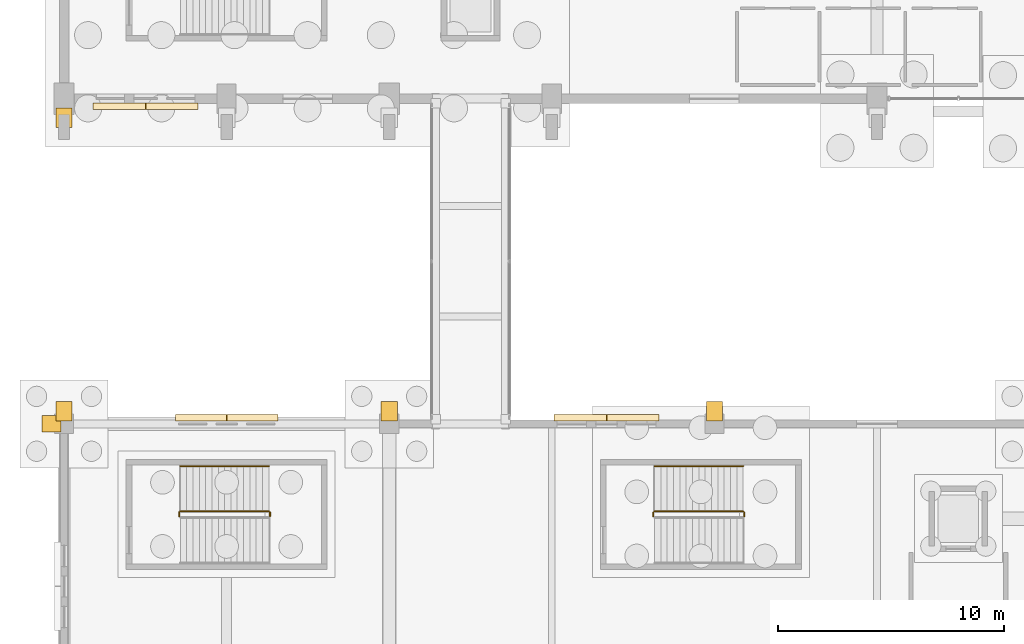
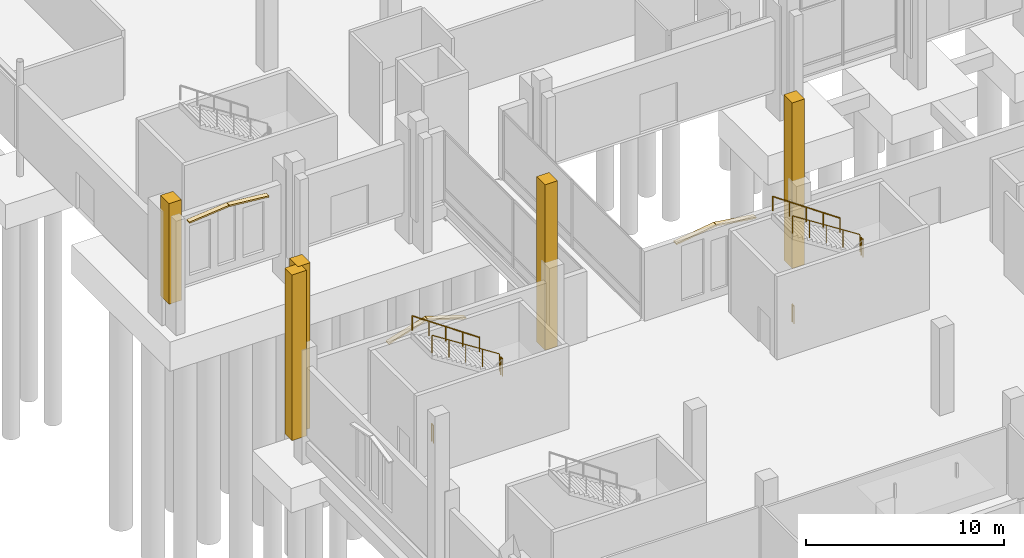
# One storey, part 173 of 192: 11 coverings, 8 railings.
"""IFC4 building model written with IfcOpenShell, lengths in metres."""

from ifc_helpers import new_model, si_unit, direction, frame, origin, origin_2d, place, context, subcontext, project, spatial, polyline, circle, outline, extrude, material, layer, layer_set, type_object, element, save


model = new_model("IFC4")

# Units and contexts
model_context = context("Model", 3, precision=1e-05, world=origin(), true_north=direction((0.0, 1.0)))
body_context = subcontext(model_context, "Body", "Model", "MODEL_VIEW")
ifc_project = project(units=[si_unit("LENGTHUNIT", "METRE"), si_unit("AREAUNIT", "SQUARE_METRE"), si_unit("VOLUMEUNIT", "CUBIC_METRE"), si_unit("PLANEANGLEUNIT", "RADIAN"), si_unit("MASSUNIT", "GRAM", prefix="KILO")], contexts=[model_context])

# Site, building, storey
site_placement = place(None, origin())
site = spatial("IfcSite", under=ifc_project, at=site_placement, CompositionType="ELEMENT")
building_placement = place(site_placement, origin())
building = spatial("IfcBuilding", under=site, at=building_placement, Name="Cendralis Lancet Convention Centre", CompositionType="ELEMENT")
storey_placement = place(building_placement, origin())
storey = spatial("IfcBuildingStorey", under=building, at=storey_placement, Name="L00", CompositionType="ELEMENT", Elevation=0.0)

# Coverings
ifc_material_1 = material(Name="Warm buff sandstone chevron cassette", Category="masonry")
ifc_layer = layer(ifc_material_1, 0.06005859375, Name="Warm buff sandstone chevron cassette")
ifc_layer_set = layer_set([ifc_layer], Name="Warm buff sandstone chevron cassette")
covering_type = type_object("IfcCoveringType", Name="ARC-CV-CLAD1", PredefinedType="CLADDING", material=ifc_layer_set)
for number, where, z_axis, x_axis, name in (
    (1, (5.9326171875, 49.929931640625, 4.0), (0.096983060843, 0.0, 0.995286032209), (0.0, 1.0, 0.0), "L00 Gothic Pointed Lancet Hood-Mould #0013L"),
    (2, (3.6025390625, 49.929931640625, 4.22509765625), (-0.096983060843, 0.0, 0.995286032209), (0.0, 1.0, 0.0), "L00 Gothic Pointed Lancet Hood-Mould #0014R"),
):
    element("IfcCovering", number, at=place(storey_placement, frame(where, z_axis=z_axis, x_axis=x_axis)), inside=storey, type_object=covering_type, Name=name, PredefinedType="CLADDING", context=body_context, shape_type="SweptSolid", body=[
        extrude(outline(polyline([(0.0, 0.0), (0.28515625, 0.0), (0.28515625, 2.3209997116345082), (0.0, 2.3209997116345082), (0.0, 0.0)])), origin(), (0.0, 0.0, -1.0), 0.090087890625),
    ])
covering_1_placement = place(storey_placement, origin())
element("IfcCovering", 3, at=covering_1_placement, inside=storey, type_object=covering_type, Name="Gothic Stepped Stone Buttress Base #0001", PredefinedType="CLADDING", context=body_context, shape_type="SweptSolid", body=[
    extrude(outline(polyline([(-0.360107421875, 49.1298828125), (0.360107421875, 49.1298828125), (0.360107421875, 49.97998046875), (-0.360107421875, 49.97998046875), (-0.360107421875, 49.1298828125)])), origin(), (0.0, 0.0, 1.0), 6.199951171875),
])
for number, where, z_axis, x_axis, name in (
    (4, (4.929931640625, 36.419921875, 3.6201171875), (-0.297728846121, 0.0, 0.954650477498), (0.0, -1.0, 0.0), "L00 Gothic Pointed Lancet Hood-Mould #0223L"),
    (5, (7.2099609375, 36.419921875, 4.324951171875), (0.297728846121, 0.0, 0.954650477498), (0.0, -1.0, 0.0), "L00 Gothic Pointed Lancet Hood-Mould #0224R"),
):
    element("IfcCovering", number, at=place(storey_placement, frame(where, z_axis=z_axis, x_axis=x_axis)), inside=storey, type_object=covering_type, Name=name, PredefinedType="CLADDING", context=body_context, shape_type="SweptSolid", body=[
        extrude(outline(polyline([(0.0, 0.0), (0.284912109375, 0.0), (0.284912109375, 2.3673688107792383), (0.0, 2.3673688107792383), (0.0, 0.0)])), origin(), (0.0, 0.0, -1.0), 0.090087890625),
    ])
covering_2_placement = place(storey_placement, frame((21.693603515625, 36.419921875, 3.89990234375), z_axis=(-0.143010644033, 0.0, 0.989721150473), x_axis=(0.0, -1.0, 0.0)))
element("IfcCovering", 6, at=covering_2_placement, inside=storey, type_object=covering_type, Name="L00 Gothic Pointed Lancet Hood-Mould #0225L", PredefinedType="CLADDING", context=body_context, shape_type="SweptSolid", body=[
    extrude(outline(polyline([(0.0, 0.0), (0.284912109375, 0.0), (0.284912109375, 2.3439169887817775), (0.0, 2.3439169887817775), (0.0, 0.0)])), origin(), (0.0, 0.0, -1.0), 0.090087890625),
])
covering_3_placement = place(storey_placement, frame((24.033447265625, 36.419921875, 4.235107421875), z_axis=(0.142995902768, 0.0, 0.989723280413), x_axis=(0.0, -1.0, 0.0)))
element("IfcCovering", 7, at=covering_3_placement, inside=storey, type_object=covering_type, Name="L00 Gothic Pointed Lancet Hood-Mould #0226R", PredefinedType="CLADDING", context=body_context, shape_type="SweptSolid", body=[
    extrude(outline(polyline([(0.0, 0.0), (0.284912109375, 0.0), (0.284912109375, 2.3441586201820455), (0.0, 2.3441586201820455), (0.0, 0.0)])), origin(), (0.0, 0.0, -1.0), 0.090087890625),
])
covering_4_placement = place(storey_placement, origin())
element("IfcCovering", 8, at=covering_4_placement, inside=storey, type_object=covering_type, Name="Gothic Stepped Stone Buttress Base #0067", PredefinedType="CLADDING", context=body_context, shape_type="SweptSolid", body=[
    extrude(outline(polyline([(0.360107421875, 36.97998046875), (-0.360107421875, 36.97998046875), (-0.360107421875, 36.1298828125), (0.360107421875, 36.1298828125), (0.360107421875, 36.97998046875)])), origin(), (0.0, 0.0, 1.0), 10.199951171875),
])
covering_5_placement = place(storey_placement, origin())
element("IfcCovering", 9, at=covering_5_placement, inside=storey, type_object=covering_type, Name="Gothic Stepped Stone Buttress Base #0068", PredefinedType="CLADDING", context=body_context, shape_type="SweptSolid", body=[
    extrude(outline(polyline([(14.760009765625, 36.97998046875), (14.0400390625, 36.97998046875), (14.0400390625, 36.1298828125), (14.760009765625, 36.1298828125), (14.760009765625, 36.97998046875)])), origin(), (0.0, 0.0, 1.0), 10.199951171875),
])
covering_6_placement = place(storey_placement, origin())
element("IfcCovering", 10, at=covering_6_placement, inside=storey, type_object=covering_type, Name="Gothic Stepped Stone Buttress Base #0069", PredefinedType="CLADDING", context=body_context, shape_type="SweptSolid", body=[
    extrude(outline(polyline([(29.159912109375, 36.97998046875), (28.43994140625, 36.97998046875), (28.43994140625, 36.1298828125), (29.159912109375, 36.1298828125), (29.159912109375, 36.97998046875)])), origin(), (0.0, 0.0, 1.0), 10.199951171875),
])
covering_7_placement = place(storey_placement, origin())
element("IfcCovering", 11, at=covering_7_placement, inside=storey, type_object=covering_type, Name="Gothic Stepped Stone Buttress Base #0079", PredefinedType="CLADDING", context=body_context, shape_type="SweptSolid", body=[
    extrude(outline(polyline([(-0.97998046875, 36.360107421875), (-0.97998046875, 35.639892578125), (-0.1298828125, 35.639892578125), (-0.1298828125, 36.360107421875), (-0.97998046875, 36.360107421875)])), origin(), (0.0, 0.0, 1.0), 10.199951171875),
])

# Railings
ifc_material_2 = material(Name="Steel S355", Category="steel")
railing_type_1 = type_object("IfcRailingType", Name="ARC-RL-CGD", PredefinedType="GUARDRAIL", material=ifc_material_2)
railing_1_placement = place(storey_placement, frame((30.1201171875, 31.89990234375, 2.699951171875)))
element("IfcRailing", 12, at=railing_1_placement, inside=storey, type_object=railing_type_1, Name="L00 ST-11 stair guard 2", PredefinedType="GUARDRAIL", context=body_context, shape_type="SweptSolid", body=[
    extrude(circle(Radius=0.02392578125, at=origin_2d()), frame((0.0, 0.0, 1.076171875), z_axis=(0.0, 1.0, 0.0), x_axis=(-1.0, 0.0, 0.0)), (0.0, 0.0, 1.0), 0.18017578125),
    extrude(circle(Radius=0.02099609375, at=origin_2d()), origin(), (0.0, 0.0, 1.0), 1.052001953125),
    extrude(circle(Radius=0.02099609375, at=origin_2d()), frame((0.0, 0.18017578125, 0.0)), (0.0, 0.0, 1.0), 1.052001953125),
])
railing_2_placement = place(storey_placement, frame((30.070068359375, 32.1298828125, 2.8798828125)))
element("IfcRailing", 13, at=railing_2_placement, inside=storey, type_object=railing_type_1, Name="L00 ST-11 stair guard 3", PredefinedType="GUARDRAIL", context=body_context, shape_type="SweptSolid", body=[
    extrude(circle(Radius=0.02392578125, at=origin_2d()), frame((0.0, 0.0, 1.076171875), z_axis=(-0.841186985886, 0.0, 0.540744352514), x_axis=(0.0, -1.0, 0.0)), (0.0, 0.0, 1.0), 4.660400390625),
    extrude(circle(Radius=0.02099609375, at=origin_2d()), origin(), (0.0, 0.0, 1.0), 1.052001953125),
    extrude(circle(Radius=0.02099609375, at=origin_2d()), frame((-0.97998046875, 0.0, 0.6298828125)), (0.0, 0.0, 1.0), 1.052001953125),
    extrude(circle(Radius=0.02099609375, at=origin_2d()), frame((-1.9599609375, 0.0, 1.260009765625)), (0.0, 0.0, 1.0), 1.052001953125),
    extrude(circle(Radius=0.02099609375, at=origin_2d()), frame((-2.940185546875, 0.0, 1.89013671875)), (0.0, 0.0, 1.0), 1.052001953125),
    extrude(circle(Radius=0.02099609375, at=origin_2d()), frame((-3.920166015625, 0.0, 2.52001953125)), (0.0, 0.0, 1.0), 1.052001953125),
])
for number, where, name in (
    (14, (26.10009765625, 31.89990234375, 0.0), "L00 ST-11 stair guard 4"),
    (15, (9.1201171875, 31.89990234375, 2.699951171875), "L00 ST-20 stair guard 2"),
):
    element("IfcRailing", number, at=place(storey_placement, frame(where)), inside=storey, type_object=railing_type_1, Name=name, PredefinedType="GUARDRAIL", context=body_context, shape_type="SweptSolid", body=[
        extrude(circle(Radius=0.02392578125, at=origin_2d()), frame((0.0, 0.0, 1.076171875), z_axis=(0.0, 1.0, 0.0), x_axis=(-1.0, 0.0, 0.0)), (0.0, 0.0, 1.0), 0.18017578125),
        extrude(circle(Radius=0.02099609375, at=origin_2d()), origin(), (0.0, 0.0, 1.0), 1.052001953125),
        extrude(circle(Radius=0.02099609375, at=origin_2d()), frame((0.0, 0.18017578125, 0.0)), (0.0, 0.0, 1.0), 1.052001953125),
    ])
railing_3_placement = place(storey_placement, frame((9.070068359375, 32.1298828125, 2.8798828125)))
element("IfcRailing", 16, at=railing_3_placement, inside=storey, type_object=railing_type_1, Name="L00 ST-20 stair guard 3", PredefinedType="GUARDRAIL", context=body_context, shape_type="SweptSolid", body=[
    extrude(circle(Radius=0.02392578125, at=origin_2d()), frame((0.0, 0.0, 1.076171875), z_axis=(-0.841186985886, 0.0, 0.540744352514), x_axis=(0.0, -1.0, 0.0)), (0.0, 0.0, 1.0), 4.660400390625),
    extrude(circle(Radius=0.02099609375, at=origin_2d()), origin(), (0.0, 0.0, 1.0), 1.052001953125),
    extrude(circle(Radius=0.02099609375, at=origin_2d()), frame((-0.97998046875, 0.0, 0.6298828125)), (0.0, 0.0, 1.0), 1.052001953125),
    extrude(circle(Radius=0.02099609375, at=origin_2d()), frame((-1.9599609375, 0.0, 1.260009765625)), (0.0, 0.0, 1.0), 1.052001953125),
    extrude(circle(Radius=0.02099609375, at=origin_2d()), frame((-2.940185546875, 0.0, 1.89013671875)), (0.0, 0.0, 1.0), 1.052001953125),
    extrude(circle(Radius=0.02099609375, at=origin_2d()), frame((-3.920166015625, 0.0, 2.52001953125)), (0.0, 0.0, 1.0), 1.052001953125),
])
railing_4_placement = place(storey_placement, frame((5.10009765625, 31.89990234375, 0.0)))
element("IfcRailing", 17, at=railing_4_placement, inside=storey, type_object=railing_type_1, Name="L00 ST-20 stair guard 4", PredefinedType="GUARDRAIL", context=body_context, shape_type="SweptSolid", body=[
    extrude(circle(Radius=0.02392578125, at=origin_2d()), frame((0.0, 0.0, 1.076171875), z_axis=(0.0, 1.0, 0.0), x_axis=(-1.0, 0.0, 0.0)), (0.0, 0.0, 1.0), 0.18017578125),
    extrude(circle(Radius=0.02099609375, at=origin_2d()), origin(), (0.0, 0.0, 1.0), 1.052001953125),
    extrude(circle(Radius=0.02099609375, at=origin_2d()), frame((0.0, 0.18017578125, 0.0)), (0.0, 0.0, 1.0), 1.052001953125),
])
railing_type_2 = type_object("IfcRailingType", Name="ARC-RL-CHR", PredefinedType="HANDRAIL", material=ifc_material_2)
for number, where, name in (
    (18, (30.070068359375, 34.1298828125, 2.8798828125), "L00 ST-11 stair handrail 2"),
    (19, (9.070068359375, 34.1298828125, 2.8798828125), "L00 ST-20 stair handrail 2"),
):
    element("IfcRailing", number, at=place(storey_placement, frame(where)), inside=storey, type_object=railing_type_2, Name=name, PredefinedType="HANDRAIL", context=body_context, shape_type="SweptSolid", body=[
        extrude(circle(Radius=0.02392578125, at=origin_2d()), frame((0.0, 0.0, 0.8759765625), z_axis=(-0.82354327477, 0.0, 0.567253448276), x_axis=(0.0, -1.0, 0.0)), (0.0, 0.0, 1.0), 4.760009765625),
        extrude(circle(Radius=0.02099609375, at=origin_2d()), origin(), (0.0, 0.0, 1.0), 0.851806640625),
        extrude(circle(Radius=0.02099609375, at=origin_2d()), frame((-0.97998046875, 0.0, 0.675048828125)), (0.0, 0.0, 1.0), 0.851806640625),
        extrude(circle(Radius=0.02099609375, at=origin_2d()), frame((-1.9599609375, 0.0, 1.35009765625)), (0.0, 0.0, 1.0), 0.851806640625),
        extrude(circle(Radius=0.02099609375, at=origin_2d()), frame((-2.940185546875, 0.0, 2.025146484375)), (0.0, 0.0, 1.0), 0.851806640625),
        extrude(circle(Radius=0.02099609375, at=origin_2d()), frame((-3.920166015625, 0.0, 2.7001953125)), (0.0, 0.0, 1.0), 0.851806640625),
    ])

save(model, "model.ifc")
